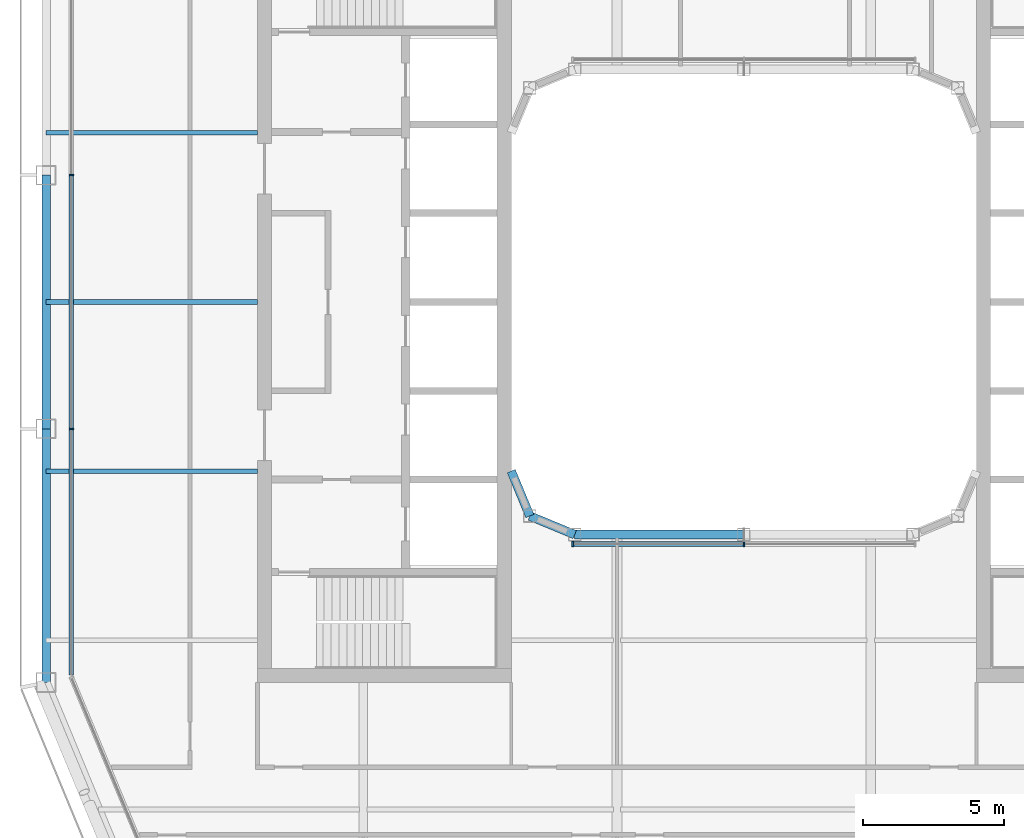
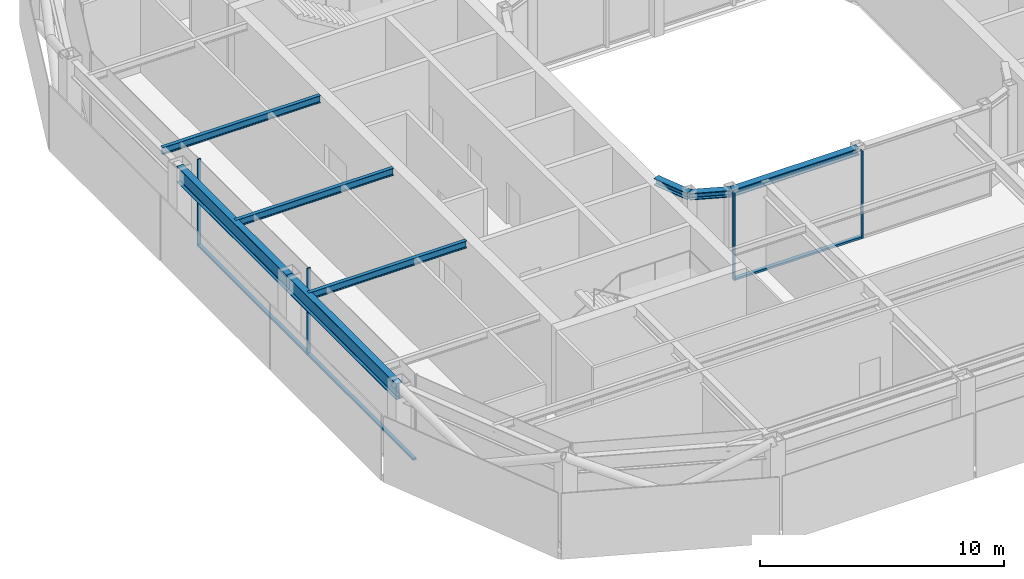
# One storey, part 4 of 18: 8 beams, 7 members, 2 elements without a shape of their own.
"""IFC4 building model written with IfcOpenShell, lengths in metres."""

from ifc_helpers import new_model, si_unit, direction, frame, origin, origin_2d, place, context, subcontext, project, spatial, rectangle, i_section, extrude, material, layer, layer_set, material_profile, profile_set, type_object, element, aggregate, save


model = new_model("IFC4")

# Units and contexts
model_context = context("Model", 3, precision=1e-05, world=origin(), true_north=direction((0.0, 1.0)))
body_context = subcontext(model_context, "Body", "Model", "MODEL_VIEW")
ifc_project = project(units=[si_unit("LENGTHUNIT", "METRE"), si_unit("AREAUNIT", "SQUARE_METRE"), si_unit("VOLUMEUNIT", "CUBIC_METRE"), si_unit("PLANEANGLEUNIT", "RADIAN"), si_unit("MASSUNIT", "GRAM", prefix="KILO")], contexts=[model_context])

# Site, building, storey
site_placement = place(None, origin())
site = spatial("IfcSite", under=ifc_project, at=site_placement, CompositionType="ELEMENT")
building_placement = place(site_placement, origin())
building = spatial("IfcBuilding", under=site, at=building_placement, Name="Siwar Civic Tower", CompositionType="ELEMENT")
storey_placement = place(building_placement, frame((0.0, 0.0, 321.199951171875)))
storey = spatial("IfcBuildingStorey", under=building, at=storey_placement, Name="L69", CompositionType="ELEMENT", Elevation=321.199951171875)

# Curtain wall, members
ifc_material_1 = material(Name="Aluminium and glass", Category="aluminium")
ifc_layer_1 = layer(ifc_material_1, 0.159912109375)
ifc_layer_set_1 = layer_set([ifc_layer_1], Name="Aluminium and glass")
curtain_wall_type_1 = type_object("IfcCurtainWallType", Name="ENV-CW-D", PredefinedType="NOTDEFINED", material=ifc_layer_set_1)
curtain_wall_1_placement = place(storey_placement, origin())
curtain_wall_1 = element("IfcCurtainWall", 1, at=curtain_wall_1_placement, inside=storey, type_object=curtain_wall_type_1, Name="Curtain wall D W", PredefinedType="NOTDEFINED")
ifc_material_2 = material(Name="Aluminium 6063-T6", Category="aluminium")
ifc_material_profile_1 = material_profile(ifc_material_2, rectangle(XDim=0.159912109375, YDim=0.06005859375, at=origin_2d()), Name="AL 160x60")
ifc_profile_set_1 = profile_set([ifc_material_profile_1], Name="Aluminium 6063-T6")
member_type_1 = type_object("IfcMemberType", Name="ENV-MULLION-D", PredefinedType="MULLION", material=ifc_profile_set_1)
member_1_placement = place(storey_placement, frame((-23.85009765625, 4.5, 0.0), z_axis=(0.0, 0.0, 1.0), x_axis=(1.0, 0.0, 0.0)))
member_1 = element("IfcMember", 2, at=member_1_placement, type_object=member_type_1, Name="Mullion D W 2", PredefinedType="MULLION", context=body_context, shape_type="SweptSolid", body=[
    extrude(rectangle(XDim=0.159912109375, YDim=0.06005859375, at=origin_2d()), origin(), (0.0, 0.0, 1.0), 4.35009765625),
])
member_2_placement = place(storey_placement, frame((-23.85009765625, -4.5, 0.0), z_axis=(0.0, 0.0, 1.0), x_axis=(1.0, 0.0, 0.0)))
member_2 = element("IfcMember", 3, at=member_2_placement, type_object=member_type_1, Name="Mullion D W 3", PredefinedType="MULLION", context=body_context, shape_type="SweptSolid", body=[
    extrude(rectangle(XDim=0.159912109375, YDim=0.06005859375, at=origin_2d()), origin(), (0.0, 0.0, 1.0), 4.35009765625),
])

ifc_material_3 = material(Name="Aluminium and glass", Category="aluminium")
ifc_layer_2 = layer(ifc_material_3, 0.179931640625)
ifc_layer_set_2 = layer_set([ifc_layer_2], Name="Aluminium and glass")
curtain_wall_type_2 = type_object("IfcCurtainWallType", Name="ENV-CW-W", PredefinedType="NOTDEFINED", material=ifc_layer_set_2)
curtain_wall_2_placement = place(storey_placement, origin())
curtain_wall_2 = element("IfcCurtainWall", 4, at=curtain_wall_2_placement, inside=storey, type_object=curtain_wall_type_2, Name="Curtain wall W WS", PredefinedType="NOTDEFINED")
ifc_material_4 = material(Name="Aluminium 6063-T6", Category="aluminium")
ifc_material_profile_2 = material_profile(ifc_material_4, rectangle(XDim=0.179931640625, YDim=0.06005859375, at=origin_2d()), Name="AL 180x60")
ifc_profile_set_2 = profile_set([ifc_material_profile_2], Name="Aluminium 6063-T6")
member_type_2 = type_object("IfcMemberType", Name="ENV-MULLION-W", PredefinedType="MULLION", material=ifc_profile_set_2)
member_3_placement = place(storey_placement, frame((-6.066650390625, -8.5849609375, 0.0), z_axis=(0.0, 0.0, 1.0), x_axis=(0.0, 1.0, 0.0)))
member_3 = element("IfcMember", 5, at=member_3_placement, type_object=member_type_2, Name="Mullion W WS 1", PredefinedType="MULLION", context=body_context, shape_type="SweptSolid", body=[
    extrude(rectangle(XDim=0.179931640625, YDim=0.06005859375, at=origin_2d()), origin(), (0.0, 0.0, 1.0), 4.35009765625),
])
member_4_placement = place(storey_placement, frame((0.0, -8.5849609375, 0.0), z_axis=(0.0, 0.0, 1.0), x_axis=(0.0, 1.0, 0.0)))
member_4 = element("IfcMember", 6, at=member_4_placement, type_object=member_type_2, Name="Mullion W WS 2", PredefinedType="MULLION", context=body_context, shape_type="SweptSolid", body=[
    extrude(rectangle(XDim=0.179931640625, YDim=0.06005859375, at=origin_2d()), origin(), (0.0, 0.0, 1.0), 4.35009765625),
])

# Member
ifc_material_5 = material(Name="Aluminium 6063-T6", Category="aluminium")
ifc_material_profile_3 = material_profile(ifc_material_5, rectangle(XDim=0.159912109375, YDim=0.10009765625, at=origin_2d()), Name="AL 160x100")
ifc_profile_set_3 = profile_set([ifc_material_profile_3], Name="Aluminium 6063-T6")
member_type_3 = type_object("IfcMemberType", Name="ENV-TRANSOM-D", PredefinedType="USERDEFINED", material=ifc_profile_set_3)
member_5_placement = place(storey_placement, frame((-23.85009765625, 4.469970703125, 0.050048828125), z_axis=(0.0, -1.0, 0.0), x_axis=(1.0, 0.0, 0.0)))
member_5 = element("IfcMember", 7, at=member_5_placement, type_object=member_type_3, Name="Transom D W 2", ObjectType="TRANSOM", PredefinedType="USERDEFINED", context=body_context, shape_type="SweptSolid", body=[
    extrude(rectangle(XDim=0.159912109375, YDim=0.10009765625, at=origin_2d()), origin(), (0.0, 0.0, 1.0), 8.93994140625),
])

member_6_placement = place(storey_placement, frame((-23.85009765625, -4.530029296875, 0.050048828125), z_axis=(0.0, -1.0, 0.0), x_axis=(1.0, 0.0, 0.0)))
member_6 = element("IfcMember", 8, at=member_6_placement, type_object=member_type_3, Name="Transom D W 3", ObjectType="TRANSOM", PredefinedType="USERDEFINED", context=body_context, shape_type="SweptSolid", body=[
    extrude(rectangle(XDim=0.159912109375, YDim=0.10009765625, at=origin_2d()), origin(), (0.0, 0.0, 1.0), 8.693115234375),
])

aggregate(curtain_wall_1, [member_1, member_2, member_5, member_6])

ifc_material_6 = material(Name="Aluminium 6063-T6", Category="aluminium")
ifc_material_profile_4 = material_profile(ifc_material_6, rectangle(XDim=0.179931640625, YDim=0.10009765625, at=origin_2d()), Name="AL 180x100")
ifc_profile_set_4 = profile_set([ifc_material_profile_4], Name="Aluminium 6063-T6")
member_type_4 = type_object("IfcMemberType", Name="ENV-TRANSOM-W", PredefinedType="USERDEFINED", material=ifc_profile_set_4)
member_7_placement = place(storey_placement, frame((-6.03662109375, -8.5849609375, 0.050048828125), z_axis=(1.0, 0.0, 0.0), x_axis=(0.0, 1.0, 0.0)))
member_7 = element("IfcMember", 9, at=member_7_placement, type_object=member_type_4, Name="Transom W WS 1", ObjectType="TRANSOM", PredefinedType="USERDEFINED", context=body_context, shape_type="SweptSolid", body=[
    extrude(rectangle(XDim=0.179931640625, YDim=0.10009765625, at=origin_2d()), origin(), (0.0, 0.0, 1.0), 6.006591796875),
])

aggregate(curtain_wall_2, [member_3, member_4, member_7])

# Beams
ifc_material_7 = material(Name="Steel S355", Category="steel")
ifc_material_profile_5 = material_profile(ifc_material_7, i_section(OverallWidth=0.169921875, OverallDepth=0.360107421875, WebThickness=0.008056640625, FlangeThickness=0.0126953125, FilletRadius=0.01806640625, at=origin_2d()), Name="IPE360")
ifc_profile_set_5 = profile_set([ifc_material_profile_5], Name="Steel S355")
beam_type_1 = type_object("IfcBeamType", Name="STR-FB-IPE360", PredefinedType="JOIST", material=ifc_profile_set_5)
for number, where, z_axis, x_axis, name in (
    (10, (-24.75, -6.0, 4.170166015625), (1.0, 0.0, 0.0), (0.0, 1.0, 0.0), "L69/bm/F016"),
    (11, (-24.75, 0.0, 4.170166015625), (1.0, 0.0, 0.0), (0.0, 1.0, 0.0), "L69/bm/F018"),
    (12, (-24.75, 6.0, 4.170166015625), (1.0, 0.0, 0.0), (0.0, 1.0, 0.0), "L69/bm/F020"),
):
    element("IfcBeam", number, at=place(storey_placement, frame(where, z_axis=z_axis, x_axis=x_axis)), inside=storey, type_object=beam_type_1, Name=name, PredefinedType="JOIST", context=body_context, shape_type="SweptSolid", body=[
        extrude(i_section(OverallWidth=0.169921875, OverallDepth=0.360107421875, WebThickness=0.008056640625, FlangeThickness=0.0126953125, FilletRadius=0.01806640625, at=origin_2d()), origin(), (0.0, 0.0, 1.0), 7.5),
    ])
ifc_material_8 = material(Name="Steel S355", Category="steel")
ifc_material_profile_6 = material_profile(ifc_material_8, i_section(OverallWidth=0.31005859375, OverallDepth=0.340087890625, WebThickness=0.02099609375, FlangeThickness=0.0390625, FilletRadius=0.027099609375, at=origin_2d()), Name="HEM300")
ifc_profile_set_6 = profile_set([ifc_material_profile_6], Name="Steel S355")
beam_type_2 = type_object("IfcBeamType", Name="STR-RB-HEM300", PredefinedType="BEAM", material=ifc_profile_set_6)
beam_1_placement = place(storey_placement, frame((-7.591064453125, -7.591064453125, 4.179931640625), z_axis=(0.923901072997, -0.382631424892, 0.0), x_axis=(0.382631424892, 0.923901072997, 0.0)))
element("IfcBeam", 13, at=beam_1_placement, inside=storey, type_object=beam_type_2, Name="L69/bm/RS0", PredefinedType="BEAM", context=body_context, shape_type="SweptSolid", body=[
    extrude(i_section(OverallWidth=0.31005859375, OverallDepth=0.340087890625, WebThickness=0.02099609375, FlangeThickness=0.0390625, FilletRadius=0.027099609375, at=origin_2d()), origin(), (0.0, 0.0, 1.0), 1.72216796875),
])
beam_2_placement = place(storey_placement, frame((-6.0, -8.25, 4.179931640625), z_axis=(1.0, 0.0, 0.0), x_axis=(0.0, 1.0, 0.0)))
element("IfcBeam", 14, at=beam_2_placement, inside=storey, type_object=beam_type_2, Name="L69/bm/RS1", PredefinedType="BEAM", context=body_context, shape_type="SweptSolid", body=[
    extrude(i_section(OverallWidth=0.31005859375, OverallDepth=0.340087890625, WebThickness=0.02099609375, FlangeThickness=0.0390625, FilletRadius=0.027099609375, at=origin_2d()), origin(), (0.0, 0.0, 1.0), 6.0),
])
beam_3_placement = place(storey_placement, frame((-7.591064453125, -7.591064453125, 4.179931640625), z_axis=(-0.382631424892, 0.923901072997, 0.0), x_axis=(-0.923901072997, -0.382631424892, 0.0)))
element("IfcBeam", 15, at=beam_3_placement, inside=storey, type_object=beam_type_2, Name="L69/bm/RSEW", PredefinedType="BEAM", context=body_context, shape_type="SweptSolid", body=[
    extrude(i_section(OverallWidth=0.31005859375, OverallDepth=0.340087890625, WebThickness=0.02099609375, FlangeThickness=0.0390625, FilletRadius=0.027099609375, at=origin_2d()), origin(), (0.0, 0.0, 1.0), 1.72216796875),
])
ifc_material_9 = material(Name="Steel S355", Category="steel")
ifc_material_profile_7 = material_profile(ifc_material_9, i_section(OverallWidth=0.300048828125, OverallDepth=0.800048828125, WebThickness=0.017578125, FlangeThickness=0.032958984375, FilletRadius=0.030029296875, at=origin_2d()), Name="HEB800")
ifc_profile_set_7 = profile_set([ifc_material_profile_7], Name="Steel S355")
beam_type_3 = type_object("IfcBeamType", Name="STR-SB-HEB800", PredefinedType="BEAM", material=ifc_profile_set_7)
for number, where, z_axis, x_axis, name in (
    (16, (-24.75, 4.5, 3.949951171875), (0.0, -1.0, 0.0), (1.0, 0.0, 0.0), "L69/bm/SW-1"),
    (17, (-24.75, -4.5, 3.949951171875), (0.0, -1.0, 0.0), (1.0, 0.0, 0.0), "L69/bm/SW-2"),
):
    element("IfcBeam", number, at=place(storey_placement, frame(where, z_axis=z_axis, x_axis=x_axis)), inside=storey, type_object=beam_type_3, Name=name, PredefinedType="BEAM", context=body_context, shape_type="SweptSolid", body=[
        extrude(i_section(OverallWidth=0.300048828125, OverallDepth=0.800048828125, WebThickness=0.017578125, FlangeThickness=0.032958984375, FilletRadius=0.030029296875, at=origin_2d()), origin(), (0.0, 0.0, 1.0), 9.0),
    ])

save(model, "model.ifc")
